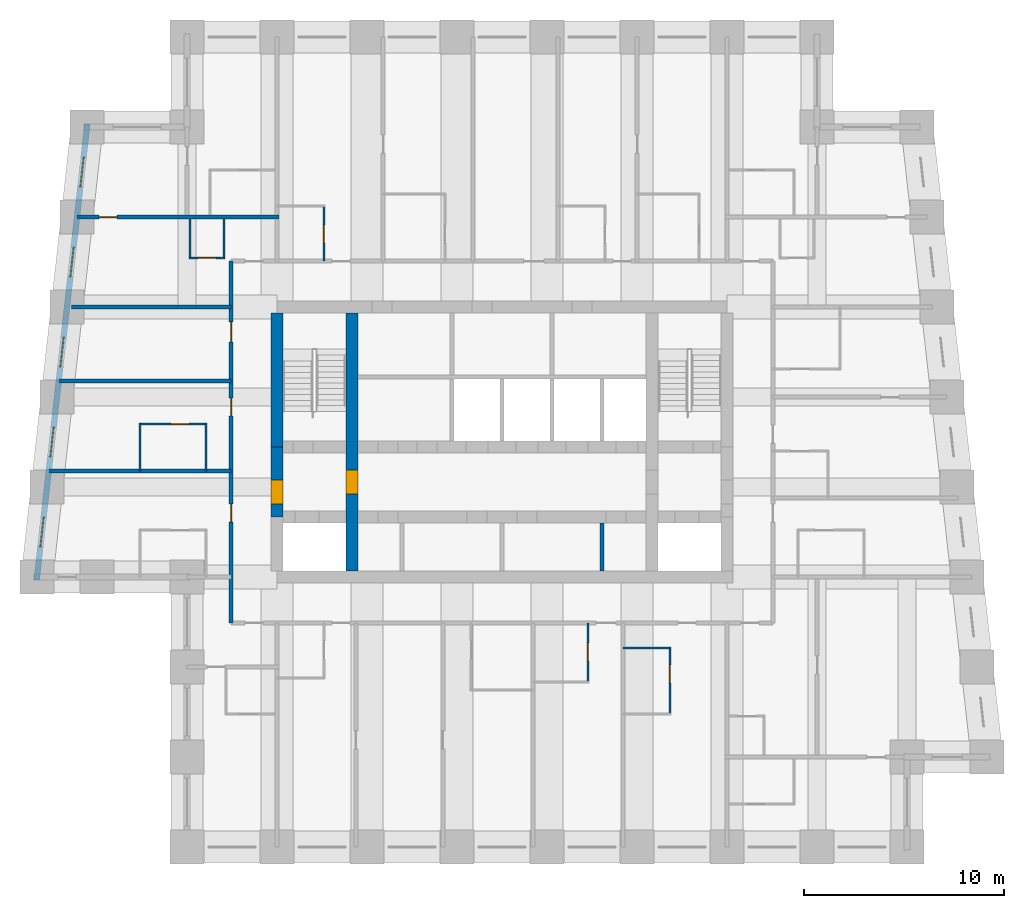
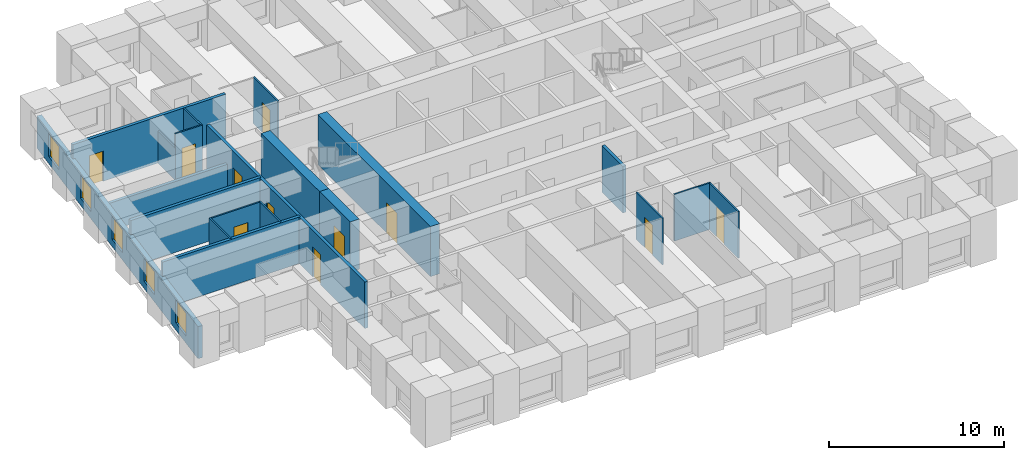
# One storey, part 3 of 8: 20 walls, 11 doors, 5 windows, 16 openings.
"""IFC4 building model written with IfcOpenShell, lengths in metres."""

from ifc_helpers import new_model, si_unit, direction, frame, frame_2d, origin, place, context, subcontext, project, spatial, rectangle, extrude, material, layer, layer_set, type_object, element, fill, save


model = new_model("IFC4")

# Units and contexts
model_context = context("Model", 3, precision=1e-05, world=origin(), true_north=direction((0.0, 1.0)))
body_context = subcontext(model_context, "Body", "Model", "MODEL_VIEW")
ifc_project = project(units=[si_unit("LENGTHUNIT", "METRE"), si_unit("AREAUNIT", "SQUARE_METRE"), si_unit("VOLUMEUNIT", "CUBIC_METRE"), si_unit("PLANEANGLEUNIT", "RADIAN"), si_unit("MASSUNIT", "GRAM", prefix="KILO")], contexts=[model_context])

# Site, building, storey
site_placement = place(None, origin())
site = spatial("IfcSite", under=ifc_project, at=site_placement, CompositionType="ELEMENT")
building_placement = place(site_placement, origin())
building = spatial("IfcBuilding", under=site, at=building_placement, Name="Kilele Tower Hotel", CompositionType="ELEMENT")
storey_placement = place(building_placement, frame((0.0, 0.0, 193.89990234375)))
storey = spatial("IfcBuildingStorey", under=building, at=storey_placement, Name="L50", CompositionType="ELEMENT", Elevation=193.89990234375)

# Wall, opening, door
ifc_material_1 = material(Name="Moisture-resistant board")
ifc_layer_1 = layer(ifc_material_1, 0.10009765625)
ifc_layer_set_1 = layer_set([ifc_layer_1], Name="Moisture-resistant board")
wall_type_1 = type_object("IfcWallType", Name="Bathroom partition 100", PredefinedType="PLUMBINGWALL", material=ifc_layer_set_1)
wall_1_placement = place(storey_placement, frame((29.050048828125, 11.199951171875, 0.0), z_axis=(0.0, 0.0, 1.0), x_axis=(0.0, -1.0, 0.0)))
wall_1 = element("IfcWall", 1, at=wall_1_placement, inside=storey, type_object=wall_type_1, Name="Bathroom partition 100 L50", PredefinedType="PLUMBINGWALL", context=body_context, shape_type="SweptSolid", body=[
    extrude(rectangle(XDim=3.0, YDim=0.10009765625, at=frame_2d((1.5, 0.0))), origin(), (0.0, 0.0, 1.0), 3.25),
])
opening_1_placement = place(wall_1_placement, frame((1.0, 0.0, 0.0)))
opening_1 = element("IfcOpeningElement", 2, at=opening_1_placement, cuts=wall_1, Name="Opening D2A", PredefinedType="OPENING", context=body_context, shape_type="SweptSolid", body=[
    extrude(rectangle(XDim=0.89990234375, YDim=2.10009765625, at=frame_2d((0.449951171875, 1.050048828125))), frame((0.0, 0.06005859375, 0.0), z_axis=(0.0, -1.0, 0.0), x_axis=(1.0, 0.0, 0.0)), (0.0, 0.0, 1.0), 0.1201171875),
])
ifc_material_2 = material(Name="Timber door leaf in hardwood frame", Category="wood")
door_type_1 = type_object("IfcDoorType", Name="Bathroom door 900", OperationType="SINGLE_SWING_LEFT", PredefinedType="DOOR", material=ifc_material_2)
door_1_placement = place(opening_1_placement, origin())
door_1 = element("IfcDoor", 3, at=door_1_placement, inside=storey, type_object=door_type_1, Name="Bathroom door 5004B", OperationType="SINGLE_SWING_LEFT", OverallHeight=2.10009765625, OverallWidth=0.89990234375, PredefinedType="DOOR", context=body_context, shape_type="SweptSolid", body=[
    extrude(rectangle(XDim=0.89990234375, YDim=2.10009765625, at=frame_2d((0.449951171875, 1.050048828125))), frame((0.0, 0.02490234375, 0.0), z_axis=(0.0, -1.0, 0.0), x_axis=(1.0, 0.0, 0.0)), (0.0, 0.0, 1.0), 0.050048828125),
])
fill(opening_1, door_1)

# Wall
wall_2_placement = place(storey_placement, frame((30.800048828125, 9.949951171875, 0.0), z_axis=(0.0, 0.0, 1.0), x_axis=(1.0, 0.0, 0.0)))
element("IfcWall", 4, at=wall_2_placement, inside=storey, type_object=wall_type_1, Name="Bathroom partition 100 L50", PredefinedType="PLUMBINGWALL", context=body_context, shape_type="SweptSolid", body=[
    extrude(rectangle(XDim=2.39990234375, YDim=0.10009765625, at=frame_2d((1.199951171875, 0.0))), origin(), (0.0, 0.0, 1.0), 3.25),
])

# Wall, opening, door
wall_3_placement = place(storey_placement, frame((33.14990234375, 10.0, 0.0), z_axis=(0.0, 0.0, 1.0), x_axis=(0.0, -1.0, 0.0)))
wall_3 = element("IfcWall", 5, at=wall_3_placement, inside=storey, type_object=wall_type_1, Name="Bathroom partition 100 L50", PredefinedType="PLUMBINGWALL", context=body_context, shape_type="SweptSolid", body=[
    extrude(rectangle(XDim=3.39990234375, YDim=0.10009765625, at=frame_2d((1.699951171875, 0.0))), origin(), (0.0, 0.0, 1.0), 3.25),
])
opening_2_placement = place(wall_3_placement, frame((0.89990234375, 0.0, 0.0)))
opening_2 = element("IfcOpeningElement", 6, at=opening_2_placement, cuts=wall_3, Name="Opening D2A", PredefinedType="OPENING", context=body_context, shape_type="SweptSolid", body=[
    extrude(rectangle(XDim=0.89990234375, YDim=2.10009765625, at=frame_2d((0.449951171875, 1.050048828125))), frame((0.0, 0.06005859375, 0.0), z_axis=(0.0, -1.0, 0.0), x_axis=(1.0, 0.0, 0.0)), (0.0, 0.0, 1.0), 0.1201171875),
])
door_2_placement = place(opening_2_placement, origin())
door_2 = element("IfcDoor", 7, at=door_2_placement, inside=storey, type_object=door_type_1, Name="Bathroom door 5005B", OperationType="SINGLE_SWING_LEFT", OverallHeight=2.10009765625, OverallWidth=0.89990234375, PredefinedType="DOOR", context=body_context, shape_type="SweptSolid", body=[
    extrude(rectangle(XDim=0.89990234375, YDim=2.10009765625, at=frame_2d((0.449951171875, 1.050048828125))), frame((0.0, 0.02490234375, 0.0), z_axis=(0.0, -1.0, 0.0), x_axis=(1.0, 0.0, 0.0)), (0.0, 0.0, 1.0), 0.050048828125),
])
fill(opening_2, door_2)

wall_4_placement = place(storey_placement, frame((15.85009765625, 29.300048828125, 0.0), z_axis=(0.0, 0.0, 1.0), x_axis=(0.0, 1.0, 0.0)))
wall_4 = element("IfcWall", 8, at=wall_4_placement, inside=storey, type_object=wall_type_1, Name="Bathroom partition 100 L50", PredefinedType="PLUMBINGWALL", context=body_context, shape_type="SweptSolid", body=[
    extrude(rectangle(XDim=2.800048828125, YDim=0.10009765625, at=frame_2d((1.39990234375, 0.0))), origin(), (0.0, 0.0, 1.0), 3.25),
])
opening_3_placement = place(wall_4_placement, frame((1.7998046875, 0.0, 0.0), z_axis=(0.0, 0.0, 1.0), x_axis=(-1.0, 0.0, 0.0)))
opening_3 = element("IfcOpeningElement", 9, at=opening_3_placement, cuts=wall_4, Name="Opening D2A", PredefinedType="OPENING", context=body_context, shape_type="SweptSolid", body=[
    extrude(rectangle(XDim=0.89990234375, YDim=2.10009765625, at=frame_2d((0.449951171875, 1.050048828125))), frame((0.0, 0.06005859375, 0.0), z_axis=(0.0, -1.0, 0.0), x_axis=(1.0, 0.0, 0.0)), (0.0, 0.0, 1.0), 0.1201171875),
])
door_3_placement = place(opening_3_placement, origin())
door_3 = element("IfcDoor", 10, at=door_3_placement, inside=storey, type_object=door_type_1, Name="Bathroom door 5009B", OperationType="SINGLE_SWING_RIGHT", OverallHeight=2.10009765625, OverallWidth=0.89990234375, PredefinedType="DOOR", context=body_context, shape_type="SweptSolid", body=[
    extrude(rectangle(XDim=0.89990234375, YDim=2.10009765625, at=frame_2d((0.449951171875, 1.050048828125))), frame((0.0, 0.02490234375, 0.0), z_axis=(0.0, -1.0, 0.0), x_axis=(1.0, 0.0, 0.0)), (0.0, 0.0, 1.0), 0.050048828125),
])
fill(opening_3, door_3)

# Walls
for number, where, z_axis, x_axis, name in (
    (11, (9.949951171875, 18.800048828125, 0.0), (0.0, 0.0, 1.0), (0.0, 1.0, 0.0), "Bathroom partition 100 L50"),
    (12, (6.64990234375, 18.800048828125, 0.0), (0.0, 0.0, 1.0), (0.0, 1.0, 0.0), "Bathroom partition 100 L50"),
):
    element("IfcWall", number, at=place(storey_placement, frame(where, z_axis=z_axis, x_axis=x_axis)), inside=storey, type_object=wall_type_1, Name=name, PredefinedType="PLUMBINGWALL", context=body_context, shape_type="SweptSolid", body=[
        extrude(rectangle(XDim=2.39990234375, YDim=0.10009765625, at=frame_2d((1.199951171875, 0.0))), origin(), (0.0, 0.0, 1.0), 3.25),
    ])

# Wall, opening, door
wall_5_placement = place(storey_placement, frame((10.0, 21.14990234375, 0.0), z_axis=(0.0, 0.0, 1.0), x_axis=(-1.0, 0.0, 0.0)))
wall_5 = element("IfcWall", 13, at=wall_5_placement, inside=storey, type_object=wall_type_1, Name="Bathroom partition 100 L50", PredefinedType="PLUMBINGWALL", context=body_context, shape_type="SweptSolid", body=[
    extrude(rectangle(XDim=3.39990234375, YDim=0.10009765625, at=frame_2d((1.699951171875, 0.0))), origin(), (0.0, 0.0, 1.0), 3.25),
])
opening_4_placement = place(wall_5_placement, frame((1.7998046875, 0.0, 0.0), z_axis=(0.0, 0.0, 1.0), x_axis=(-1.0, 0.0, 0.0)))
opening_4 = element("IfcOpeningElement", 14, at=opening_4_placement, cuts=wall_5, Name="Opening D2A", PredefinedType="OPENING", context=body_context, shape_type="SweptSolid", body=[
    extrude(rectangle(XDim=0.89990234375, YDim=2.10009765625, at=frame_2d((0.449951171875, 1.050048828125))), frame((0.0, 0.06005859375, 0.0), z_axis=(0.0, -1.0, 0.0), x_axis=(1.0, 0.0, 0.0)), (0.0, 0.0, 1.0), 0.1201171875),
])
door_4_placement = place(opening_4_placement, origin())
door_4 = element("IfcDoor", 15, at=door_4_placement, inside=storey, type_object=door_type_1, Name="Bathroom door 5015B", OperationType="SINGLE_SWING_RIGHT", OverallHeight=2.10009765625, OverallWidth=0.89990234375, PredefinedType="DOOR", context=body_context, shape_type="SweptSolid", body=[
    extrude(rectangle(XDim=0.89990234375, YDim=2.10009765625, at=frame_2d((0.449951171875, 1.050048828125))), frame((0.0, 0.02490234375, 0.0), z_axis=(0.0, -1.0, 0.0), x_axis=(1.0, 0.0, 0.0)), (0.0, 0.0, 1.0), 0.050048828125),
])
fill(opening_4, door_4)

# Walls
wall_6_placement = place(storey_placement, frame((9.14990234375, 31.39990234375, 0.0), z_axis=(0.0, 0.0, 1.0), x_axis=(0.0, -1.0, 0.0)))
element("IfcWall", 16, at=wall_6_placement, inside=storey, type_object=wall_type_1, Name="Bathroom partition 100 L50", PredefinedType="PLUMBINGWALL", context=body_context, shape_type="SweptSolid", body=[
    extrude(rectangle(XDim=2.0, YDim=0.10009765625, at=frame_2d((1.0, 0.0))), origin(), (0.0, 0.0, 1.0), 2.25),
])
wall_7_placement = place(storey_placement, frame((10.85009765625, 31.39990234375, 0.0), z_axis=(0.0, 0.0, 1.0), x_axis=(0.0, -1.0, 0.0)))
element("IfcWall", 17, at=wall_7_placement, inside=storey, type_object=wall_type_1, Name="Bathroom partition 100 L50", PredefinedType="PLUMBINGWALL", context=body_context, shape_type="SweptSolid", body=[
    extrude(rectangle(XDim=2.0, YDim=0.10009765625, at=frame_2d((1.0, 0.0))), origin(), (0.0, 0.0, 1.0), 3.25),
])

# Wall, opening, door
wall_8_placement = place(storey_placement, frame((10.89990234375, 29.449951171875, 0.0), z_axis=(0.0, 0.0, 1.0), x_axis=(-1.0, 0.0, 0.0)))
wall_8 = element("IfcWall", 18, at=wall_8_placement, inside=storey, type_object=wall_type_1, Name="Bathroom partition 100 L50", PredefinedType="PLUMBINGWALL", context=body_context, shape_type="SweptSolid", body=[
    extrude(rectangle(XDim=1.7998046875, YDim=0.10009765625, at=frame_2d((0.89990234375, 0.0))), origin(), (0.0, 0.0, 1.0), 3.25),
])
opening_5_placement = place(wall_8_placement, frame((0.449951171875, 0.0, 0.0)))
opening_5 = element("IfcOpeningElement", 19, at=opening_5_placement, cuts=wall_8, Name="Opening D2A", PredefinedType="OPENING", context=body_context, shape_type="SweptSolid", body=[
    extrude(rectangle(XDim=0.89990234375, YDim=2.10009765625, at=frame_2d((0.449951171875, 1.050048828125))), frame((0.0, 0.06005859375, 0.0), z_axis=(0.0, -1.0, 0.0), x_axis=(1.0, 0.0, 0.0)), (0.0, 0.0, 1.0), 0.1201171875),
])
door_5_placement = place(opening_5_placement, origin())
door_5 = element("IfcDoor", 20, at=door_5_placement, inside=storey, type_object=door_type_1, Name="Bathroom door 5025P", OperationType="SINGLE_SWING_LEFT", OverallHeight=2.10009765625, OverallWidth=0.89990234375, PredefinedType="DOOR", context=body_context, shape_type="SweptSolid", body=[
    extrude(rectangle(XDim=0.89990234375, YDim=2.10009765625, at=frame_2d((0.449951171875, 1.050048828125))), frame((0.0, 0.02490234375, 0.0), z_axis=(0.0, -1.0, 0.0), x_axis=(1.0, 0.0, 0.0)), (0.0, 0.0, 1.0), 0.050048828125),
])
fill(opening_5, door_5)

ifc_material_3 = material(Name="Concrete C70/85", Category="concrete")
ifc_layer_2 = layer(ifc_material_3, 0.60009765625)
ifc_layer_set_2 = layer_set([ifc_layer_2], Name="Concrete C70/85")
wall_type_2 = type_object("IfcWallType", Name="Core wall 600 C70/85", PredefinedType="SHEAR", material=ifc_layer_set_2)
wall_9_placement = place(storey_placement, frame((17.25, 13.800048828125, 0.0), z_axis=(0.0, 0.0, 1.0), x_axis=(0.0, 1.0, 0.0)))
wall_9 = element("IfcWall", 21, at=wall_9_placement, inside=storey, type_object=wall_type_2, Name="Core wall IW L50", PredefinedType="SHEAR", context=body_context, shape_type="SweptSolid", body=[
    extrude(rectangle(XDim=12.89990234375, YDim=0.60009765625, at=frame_2d((6.449951171875, 0.0))), origin(), (0.0, 0.0, 1.0), 3.5),
])
opening_6_placement = place(wall_9_placement, frame((3.85009765625, 0.0, 0.0)))
opening_6 = element("IfcOpeningElement", 22, at=opening_6_placement, cuts=wall_9, Name="Opening D4", PredefinedType="OPENING", context=body_context, shape_type="SweptSolid", body=[
    extrude(rectangle(XDim=1.199951171875, YDim=2.10009765625, at=frame_2d((0.60009765625, 1.050048828125))), frame((0.0, 0.31005859375, 0.0), z_axis=(0.0, -1.0, 0.0), x_axis=(1.0, 0.0, 0.0)), (0.0, 0.0, 1.0), 0.6201171875),
])
ifc_material_4 = material(Name="Timber door leaf in hardwood frame", Category="wood")
door_type_2 = type_object("IfcDoorType", Name="Firefighting lobby door 1200", OperationType="SINGLE_SWING_LEFT", PredefinedType="DOOR", material=ifc_material_4)
door_6_placement = place(opening_6_placement, origin())
door_6 = element("IfcDoor", 23, at=door_6_placement, inside=storey, type_object=door_type_2, Name="Lobby door L50", OperationType="SINGLE_SWING_LEFT", OverallHeight=2.10009765625, OverallWidth=1.199951171875, PredefinedType="DOOR", context=body_context, shape_type="SweptSolid", body=[
    extrude(rectangle(XDim=1.199951171875, YDim=2.10009765625, at=frame_2d((0.60009765625, 1.050048828125))), frame((0.0, 0.2998046875, 0.0), z_axis=(0.0, -1.0, 0.0), x_axis=(1.0, 0.0, 0.0)), (0.0, 0.0, 1.0), 0.599609375),
])
fill(opening_6, door_6)

# Wall
wall_10_placement = place(storey_placement, frame((13.5, 26.699951171875, 0.0), z_axis=(0.0, 0.0, 1.0), x_axis=(0.0, -1.0, 0.0)))
element("IfcWall", 24, at=wall_10_placement, inside=storey, type_object=wall_type_2, Name="Core wall W1 L50", PredefinedType="SHEAR", context=body_context, shape_type="SweptSolid", body=[
    extrude(rectangle(XDim=6.699951171875, YDim=0.60009765625, at=frame_2d((3.35009765625, 0.0))), origin(), (0.0, 0.0, 1.0), 3.5),
])

# Wall, opening, door
wall_11_placement = place(storey_placement, frame((13.5, 20.0, 0.0), z_axis=(0.0, 0.0, 1.0), x_axis=(0.0, -1.0, 0.0)))
wall_11 = element("IfcWall", 25, at=wall_11_placement, inside=storey, type_object=wall_type_2, Name="Core wall W2 L50", PredefinedType="SHEAR", context=body_context, shape_type="SweptSolid", body=[
    extrude(rectangle(XDim=3.5, YDim=0.60009765625, at=frame_2d((1.75, 0.0))), origin(), (0.0, 0.0, 1.0), 3.5),
])
opening_7_placement = place(wall_11_placement, frame((1.64990234375, 0.0, 0.0)))
opening_7 = element("IfcOpeningElement", 26, at=opening_7_placement, cuts=wall_11, Name="Opening D4", PredefinedType="OPENING", context=body_context, shape_type="SweptSolid", body=[
    extrude(rectangle(XDim=1.199951171875, YDim=2.10009765625, at=frame_2d((0.60009765625, 1.050048828125))), frame((0.0, 0.31005859375, 0.0), z_axis=(0.0, -1.0, 0.0), x_axis=(1.0, 0.0, 0.0)), (0.0, 0.0, 1.0), 0.6201171875),
])
door_7_placement = place(opening_7_placement, origin())
door_7 = element("IfcDoor", 27, at=door_7_placement, inside=storey, type_object=door_type_2, Name="Lobby door L50", OperationType="SINGLE_SWING_RIGHT", OverallHeight=2.10009765625, OverallWidth=1.199951171875, PredefinedType="DOOR", context=body_context, shape_type="SweptSolid", body=[
    extrude(rectangle(XDim=1.199951171875, YDim=2.10009765625, at=frame_2d((0.60009765625, 1.050048828125))), frame((0.0, 0.2998046875, 0.0), z_axis=(0.0, -1.0, 0.0), x_axis=(1.0, 0.0, 0.0)), (0.0, 0.0, 1.0), 0.599609375),
])
fill(opening_7, door_7)

# Wall, openings, doors
ifc_material_5 = material(Name="Blockwork, plastered both sides", Category="masonry")
ifc_layer_3 = layer(ifc_material_5, 0.199951171875)
ifc_layer_set_3 = layer_set([ifc_layer_3], Name="Blockwork, plastered both sides")
wall_type_3 = type_object("IfcWallType", Name="Corridor wall 200", PredefinedType="PARTITIONING", material=ifc_layer_set_3)
wall_12_placement = place(storey_placement, frame((11.199951171875, 11.199951171875, 0.0), z_axis=(0.0, 0.0, 1.0), x_axis=(0.0, 1.0, 0.0)))
wall_12 = element("IfcWall", 28, at=wall_12_placement, inside=storey, type_object=wall_type_3, Name="Corridor wall 200 L50", PredefinedType="PARTITIONING", context=body_context, shape_type="SweptSolid", body=[
    extrude(rectangle(XDim=18.10009765625, YDim=0.199951171875, at=frame_2d((9.050048828125, 0.0))), origin(), (0.0, 0.0, 1.0), 3.25),
])
opening_8_placement = place(wall_12_placement, frame((5.050048828125, 0.0, 0.0)))
opening_8 = element("IfcOpeningElement", 29, at=opening_8_placement, cuts=wall_12, Name="Opening D1", PredefinedType="OPENING", context=body_context, shape_type="SweptSolid", body=[
    extrude(rectangle(XDim=0.89990234375, YDim=2.10009765625, at=frame_2d((0.449951171875, 1.050048828125))), frame((0.0, 0.10986328125, 0.0), z_axis=(0.0, -1.0, 0.0), x_axis=(1.0, 0.0, 0.0)), (0.0, 0.0, 1.0), 0.219970703125),
])
opening_9_placement = place(wall_12_placement, frame((10.35009765625, 0.0, 0.0)))
opening_9 = element("IfcOpeningElement", 30, at=opening_9_placement, cuts=wall_12, Name="Opening D1", PredefinedType="OPENING", context=body_context, shape_type="SweptSolid", body=[
    extrude(rectangle(XDim=0.89990234375, YDim=2.10009765625, at=frame_2d((0.449951171875, 1.050048828125))), frame((0.0, 0.10986328125, 0.0), z_axis=(0.0, -1.0, 0.0), x_axis=(1.0, 0.0, 0.0)), (0.0, 0.0, 1.0), 0.219970703125),
])
opening_10_placement = place(wall_12_placement, frame((14.050048828125, 0.0, 0.0)))
opening_10 = element("IfcOpeningElement", 31, at=opening_10_placement, cuts=wall_12, Name="Opening D8", PredefinedType="OPENING", context=body_context, shape_type="SweptSolid", body=[
    extrude(rectangle(XDim=1.0, YDim=2.10009765625, at=frame_2d((0.5, 1.050048828125))), frame((0.0, 0.10986328125, 0.0), z_axis=(0.0, -1.0, 0.0), x_axis=(1.0, 0.0, 0.0)), (0.0, 0.0, 1.0), 0.219970703125),
])
ifc_material_6 = material(Name="Timber door leaf in hardwood frame", Category="wood")
door_type_3 = type_object("IfcDoorType", Name="Door 1000", OperationType="SINGLE_SWING_LEFT", PredefinedType="DOOR", material=ifc_material_6)
door_8_placement = place(opening_10_placement, origin())
door_8 = element("IfcDoor", 32, at=door_8_placement, inside=storey, type_object=door_type_3, Name="Room entrance 5016", OperationType="SINGLE_SWING_RIGHT", OverallHeight=2.10009765625, OverallWidth=1.0, PredefinedType="DOOR", context=body_context, shape_type="SweptSolid", body=[
    extrude(rectangle(XDim=1.0, YDim=2.10009765625, at=frame_2d((0.5, 1.050048828125))), frame((0.0, 0.02490234375, 0.0), z_axis=(0.0, -1.0, 0.0), x_axis=(1.0, 0.0, 0.0)), (0.0, 0.0, 1.0), 0.050048828125),
])
fill(opening_10, door_8)
ifc_material_7 = material(Name="Timber door leaf in hardwood frame", Category="wood")
door_type_4 = type_object("IfcDoorType", Name="Guest room entrance door 900", OperationType="SINGLE_SWING_LEFT", PredefinedType="DOOR", material=ifc_material_7)
door_9_placement = place(opening_8_placement, origin())
door_9 = element("IfcDoor", 33, at=door_9_placement, inside=storey, type_object=door_type_4, Name="Room entrance 5014", OperationType="SINGLE_SWING_LEFT", OverallHeight=2.10009765625, OverallWidth=0.89990234375, PredefinedType="DOOR", context=body_context, shape_type="SweptSolid", body=[
    extrude(rectangle(XDim=0.89990234375, YDim=2.10009765625, at=frame_2d((0.449951171875, 1.050048828125))), frame((0.0, 0.02490234375, 0.0), z_axis=(0.0, -1.0, 0.0), x_axis=(1.0, 0.0, 0.0)), (0.0, 0.0, 1.0), 0.050048828125),
])
fill(opening_8, door_9)
door_10_placement = place(opening_9_placement, origin())
door_10 = element("IfcDoor", 34, at=door_10_placement, inside=storey, type_object=door_type_4, Name="Room entrance 5015", OperationType="SINGLE_SWING_RIGHT", OverallHeight=2.10009765625, OverallWidth=0.89990234375, PredefinedType="DOOR", context=body_context, shape_type="SweptSolid", body=[
    extrude(rectangle(XDim=0.89990234375, YDim=2.10009765625, at=frame_2d((0.449951171875, 1.050048828125))), frame((0.0, 0.02490234375, 0.0), z_axis=(0.0, -1.0, 0.0), x_axis=(1.0, 0.0, 0.0)), (0.0, 0.0, 1.0), 0.050048828125),
])
fill(opening_9, door_10)

# Walls
ifc_material_8 = material(Name="Blockwork, plastered both sides", Category="masonry")
ifc_layer_4 = layer(ifc_material_8, 0.199951171875)
ifc_layer_set_4 = layer_set([ifc_layer_4], Name="Blockwork, plastered both sides")
wall_type_4 = type_object("IfcWallType", Name="Party wall 200", PredefinedType="PARTITIONING", material=ifc_layer_set_4)
wall_13_placement = place(storey_placement, frame((11.199951171875, 18.800048828125, 0.0), z_axis=(0.0, 0.0, 1.0), x_axis=(-1.0, 0.0, 0.0)))
element("IfcWall", 35, at=wall_13_placement, inside=storey, type_object=wall_type_4, Name="Party wall 200 L50", PredefinedType="PARTITIONING", context=body_context, shape_type="SweptSolid", body=[
    extrude(rectangle(XDim=9.110107421875, YDim=0.199951171875, at=frame_2d((4.55517578125, 0.0))), origin(), (0.0, 0.0, 1.0), 3.25),
])
wall_14_placement = place(storey_placement, frame((11.199951171875, 23.300048828125, 0.0), z_axis=(0.0, 0.0, 1.0), x_axis=(-1.0, 0.0, 0.0)))
element("IfcWall", 36, at=wall_14_placement, inside=storey, type_object=wall_type_4, Name="Party wall 200 L50", PredefinedType="PARTITIONING", context=body_context, shape_type="SweptSolid", body=[
    extrude(rectangle(XDim=8.610107421875, YDim=0.199951171875, at=frame_2d((4.30517578125, 0.0))), origin(), (0.0, 0.0, 1.0), 3.25),
])
wall_15_placement = place(storey_placement, frame((11.199951171875, 27.0, 0.0), z_axis=(0.0, 0.0, 1.0), x_axis=(-1.0, 0.0, 0.0)))
element("IfcWall", 37, at=wall_15_placement, inside=storey, type_object=wall_type_4, Name="Party wall 200 L50", PredefinedType="PARTITIONING", context=body_context, shape_type="SweptSolid", body=[
    extrude(rectangle(XDim=7.976806640625, YDim=0.199951171875, at=frame_2d((3.98828125, 0.0))), origin(), (0.0, 0.0, 1.0), 1.9501953125),
])

# Wall, opening, door
wall_16_placement = place(storey_placement, frame((13.60009765625, 31.5, 0.0), z_axis=(0.0, 0.0, 1.0), x_axis=(-1.0, 0.0, 0.0)))
wall_16 = element("IfcWall", 38, at=wall_16_placement, inside=storey, type_object=wall_type_4, Name="Party wall 200 L50", PredefinedType="PARTITIONING", context=body_context, shape_type="SweptSolid", body=[
    extrude(rectangle(XDim=10.09912109375, YDim=0.199951171875, at=frame_2d((5.049560546875, 0.0))), origin(), (0.0, 0.0, 1.0), 3.25),
])
opening_11_placement = place(wall_16_placement, frame((8.9990234375, 0.0, 0.0), z_axis=(0.0, 0.0, 1.0), x_axis=(-1.0, 0.0, 0.0)))
opening_11 = element("IfcOpeningElement", 39, at=opening_11_placement, cuts=wall_16, Name="Opening D3", PredefinedType="OPENING", context=body_context, shape_type="SweptSolid", body=[
    extrude(rectangle(XDim=0.89990234375, YDim=2.10009765625, at=frame_2d((0.449951171875, 1.050048828125))), frame((0.0, 0.10986328125, 0.0), z_axis=(0.0, -1.0, 0.0), x_axis=(1.0, 0.0, 0.0)), (0.0, 0.0, 1.0), 0.219970703125),
])
ifc_material_9 = material(Name="Timber door leaf in hardwood frame", Category="wood")
door_type_5 = type_object("IfcDoorType", Name="Suite internal door 900", OperationType="SINGLE_SWING_LEFT", PredefinedType="DOOR", material=ifc_material_9)
door_11_placement = place(opening_11_placement, origin())
door_11 = element("IfcDoor", 40, at=door_11_placement, inside=storey, type_object=door_type_5, Name="Suite door 5026", OperationType="SINGLE_SWING_LEFT", OverallHeight=2.10009765625, OverallWidth=0.89990234375, PredefinedType="DOOR", context=body_context, shape_type="SweptSolid", body=[
    extrude(rectangle(XDim=0.89990234375, YDim=2.10009765625, at=frame_2d((0.449951171875, 1.050048828125))), frame((0.0, 0.02490234375, 0.0), z_axis=(0.0, -1.0, 0.0), x_axis=(1.0, 0.0, 0.0)), (0.0, 0.0, 1.0), 0.050048828125),
])
fill(opening_11, door_11)

# Wall, openings, windows
ifc_material_10 = material(Name="Concrete C40/50 precast", Category="concrete")
ifc_layer_5 = layer(ifc_material_10, 0.260009765625, Name="Precast backing", Category="LoadBearing")
ifc_material_11 = material(Name="Reconstituted stone finish", Category="masonry")
ifc_layer_6 = layer(ifc_material_11, 0.0400390625, Name="Face mix", Category="Finish")
ifc_layer_set_5 = layer_set([ifc_layer_5, ifc_layer_6], Name="Precast concrete C40/50, reconstituted stone finish")
wall_type_5 = type_object("IfcWallType", Name="Precast stone facade wall 300", PredefinedType="STANDARD", material=ifc_layer_set_5)
wall_17_placement = place(storey_placement, frame((4.0166015625, 36.149169921875, 0.0), z_axis=(0.0, 0.0, 1.0), x_axis=(-0.110433862387, -0.993883475081, 0.0)))
wall_17 = element("IfcWall", 41, at=wall_17_placement, inside=storey, type_object=wall_type_5, Name="Facade wall L50 edge 12", PredefinedType="STANDARD", context=body_context, shape_type="SweptSolid", body=[
    extrude(rectangle(XDim=22.938720703125, YDim=0.300048828125, at=frame_2d((11.46923828125, 0.0))), origin(), (0.0, 0.0, 1.0), 2.25),
])
opening_12_placement = place(wall_17_placement, frame((1.6640625, 0.0, 0.5)))
opening_12 = element("IfcOpeningElement", 42, at=opening_12_placement, cuts=wall_17, Name="Opening W3", PredefinedType="OPENING", context=body_context, shape_type="SweptSolid", body=[
    extrude(rectangle(XDim=1.5, YDim=1.60009765625, at=frame_2d((0.75, 0.800048828125))), frame((0.0, 0.159912109375, 0.0), z_axis=(0.0, -1.0, 0.0), x_axis=(1.0, 0.0, 0.0)), (0.0, 0.0, 1.0), 0.320068359375),
])
opening_13_placement = place(wall_17_placement, frame((6.19189453125, 0.0, 0.5)))
opening_13 = element("IfcOpeningElement", 43, at=opening_13_placement, cuts=wall_17, Name="Opening W3", PredefinedType="OPENING", context=body_context, shape_type="SweptSolid", body=[
    extrude(rectangle(XDim=1.5, YDim=1.60009765625, at=frame_2d((0.75, 0.800048828125))), frame((0.0, 0.159912109375, 0.0), z_axis=(0.0, -1.0, 0.0), x_axis=(1.0, 0.0, 0.0)), (0.0, 0.0, 1.0), 0.320068359375),
])
opening_14_placement = place(wall_17_placement, frame((10.718994140625, 0.0, 0.5)))
opening_14 = element("IfcOpeningElement", 44, at=opening_14_placement, cuts=wall_17, Name="Opening W3", PredefinedType="OPENING", context=body_context, shape_type="SweptSolid", body=[
    extrude(rectangle(XDim=1.5, YDim=1.60009765625, at=frame_2d((0.75, 0.800048828125))), frame((0.0, 0.159912109375, 0.0), z_axis=(0.0, -1.0, 0.0), x_axis=(1.0, 0.0, 0.0)), (0.0, 0.0, 1.0), 0.320068359375),
])
opening_15_placement = place(wall_17_placement, frame((15.2470703125, 0.0, 0.5)))
opening_15 = element("IfcOpeningElement", 45, at=opening_15_placement, cuts=wall_17, Name="Opening W3", PredefinedType="OPENING", context=body_context, shape_type="SweptSolid", body=[
    extrude(rectangle(XDim=1.5, YDim=1.60009765625, at=frame_2d((0.75, 0.800048828125))), frame((0.0, 0.159912109375, 0.0), z_axis=(0.0, -1.0, 0.0), x_axis=(1.0, 0.0, 0.0)), (0.0, 0.0, 1.0), 0.320068359375),
])
opening_16_placement = place(wall_17_placement, frame((19.77490234375, 0.0, 0.5)))
opening_16 = element("IfcOpeningElement", 46, at=opening_16_placement, cuts=wall_17, Name="Opening W3", PredefinedType="OPENING", context=body_context, shape_type="SweptSolid", body=[
    extrude(rectangle(XDim=1.5, YDim=1.60009765625, at=frame_2d((0.75, 0.800048828125))), frame((0.0, 0.159912109375, 0.0), z_axis=(0.0, -1.0, 0.0), x_axis=(1.0, 0.0, 0.0)), (0.0, 0.0, 1.0), 0.320068359375),
])
ifc_material_12 = material(Name="Aluminium frame, clear double glazing", Category="aluminium")
window_type = type_object("IfcWindowType", Name="Window W3 1500 x 1600", PartitioningType="SINGLE_PANEL", PredefinedType="WINDOW", material=ifc_material_12)
window_1_placement = place(opening_12_placement, origin())
window_1 = element("IfcWindow", 47, at=window_1_placement, inside=storey, type_object=window_type, Name="Window L50", OverallHeight=1.60009765625, OverallWidth=1.5, PartitioningType="SINGLE_PANEL", PredefinedType="WINDOW", context=body_context, shape_type="SweptSolid", body=[
    extrude(rectangle(XDim=1.5, YDim=1.60009765625, at=frame_2d((0.75, 0.800048828125))), frame((0.0, 0.030029296875, 0.0), z_axis=(0.0, -1.0, 0.0), x_axis=(1.0, 0.0, 0.0)), (0.0, 0.0, 1.0), 0.06005859375),
])
fill(opening_12, window_1)
window_2_placement = place(opening_13_placement, origin())
window_2 = element("IfcWindow", 48, at=window_2_placement, inside=storey, type_object=window_type, Name="Window L50", OverallHeight=1.60009765625, OverallWidth=1.5, PartitioningType="SINGLE_PANEL", PredefinedType="WINDOW", context=body_context, shape_type="SweptSolid", body=[
    extrude(rectangle(XDim=1.5, YDim=1.60009765625, at=frame_2d((0.75, 0.800048828125))), frame((0.0, 0.030029296875, 0.0), z_axis=(0.0, -1.0, 0.0), x_axis=(1.0, 0.0, 0.0)), (0.0, 0.0, 1.0), 0.06005859375),
])
fill(opening_13, window_2)
window_3_placement = place(opening_14_placement, origin())
window_3 = element("IfcWindow", 49, at=window_3_placement, inside=storey, type_object=window_type, Name="Window L50", OverallHeight=1.60009765625, OverallWidth=1.5, PartitioningType="SINGLE_PANEL", PredefinedType="WINDOW", context=body_context, shape_type="SweptSolid", body=[
    extrude(rectangle(XDim=1.5, YDim=1.60009765625, at=frame_2d((0.75, 0.800048828125))), frame((0.0, 0.030029296875, 0.0), z_axis=(0.0, -1.0, 0.0), x_axis=(1.0, 0.0, 0.0)), (0.0, 0.0, 1.0), 0.06005859375),
])
fill(opening_14, window_3)
window_4_placement = place(opening_15_placement, origin())
window_4 = element("IfcWindow", 50, at=window_4_placement, inside=storey, type_object=window_type, Name="Window L50", OverallHeight=1.60009765625, OverallWidth=1.5, PartitioningType="SINGLE_PANEL", PredefinedType="WINDOW", context=body_context, shape_type="SweptSolid", body=[
    extrude(rectangle(XDim=1.5, YDim=1.60009765625, at=frame_2d((0.75, 0.800048828125))), frame((0.0, 0.030029296875, 0.0), z_axis=(0.0, -1.0, 0.0), x_axis=(1.0, 0.0, 0.0)), (0.0, 0.0, 1.0), 0.06005859375),
])
fill(opening_15, window_4)
window_5_placement = place(opening_16_placement, origin())
window_5 = element("IfcWindow", 51, at=window_5_placement, inside=storey, type_object=window_type, Name="Window L50", OverallHeight=1.60009765625, OverallWidth=1.5, PartitioningType="SINGLE_PANEL", PredefinedType="WINDOW", context=body_context, shape_type="SweptSolid", body=[
    extrude(rectangle(XDim=1.5, YDim=1.60009765625, at=frame_2d((0.75, 0.800048828125))), frame((0.0, 0.030029296875, 0.0), z_axis=(0.0, -1.0, 0.0), x_axis=(1.0, 0.0, 0.0)), (0.0, 0.0, 1.0), 0.06005859375),
])
fill(opening_16, window_5)

# Wall
ifc_material_13 = material(Name="Blockwork, fire-rated", Category="masonry")
ifc_layer_7 = layer(ifc_material_13, 0.199951171875)
ifc_layer_set_6 = layer_set([ifc_layer_7], Name="Blockwork, fire-rated")
wall_type_6 = type_object("IfcWallType", Name="Shaft wall 200", PredefinedType="PARTITIONING", material=ifc_layer_set_6)
wall_18_placement = place(storey_placement, frame((29.75, 13.800048828125, 0.0), z_axis=(0.0, 0.0, 1.0), x_axis=(0.0, 1.0, 0.0)))
element("IfcWall", 52, at=wall_18_placement, inside=storey, type_object=wall_type_6, Name="Shaft wall 200 L50", PredefinedType="PARTITIONING", context=body_context, shape_type="SweptSolid", body=[
    extrude(rectangle(XDim=2.39990234375, YDim=0.199951171875, at=frame_2d((1.199951171875, 0.0))), origin(), (0.0, 0.0, 1.0), 3.25),
])

save(model, "model.ifc")
